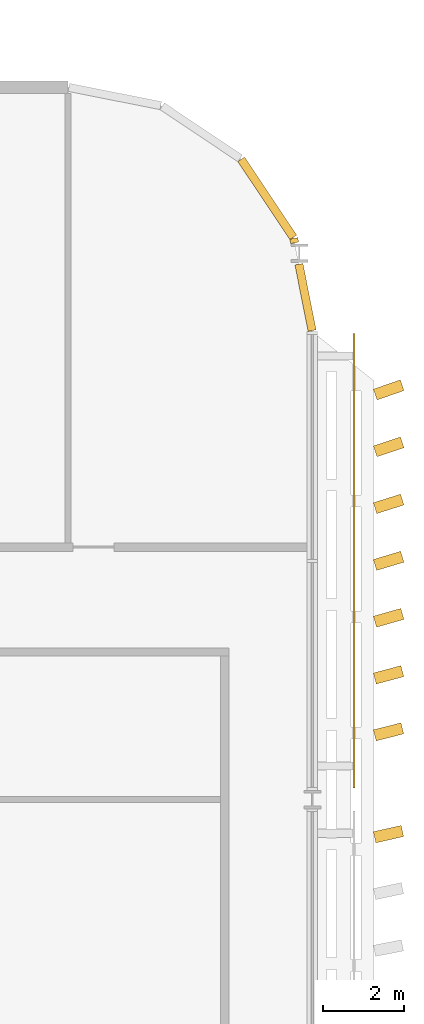
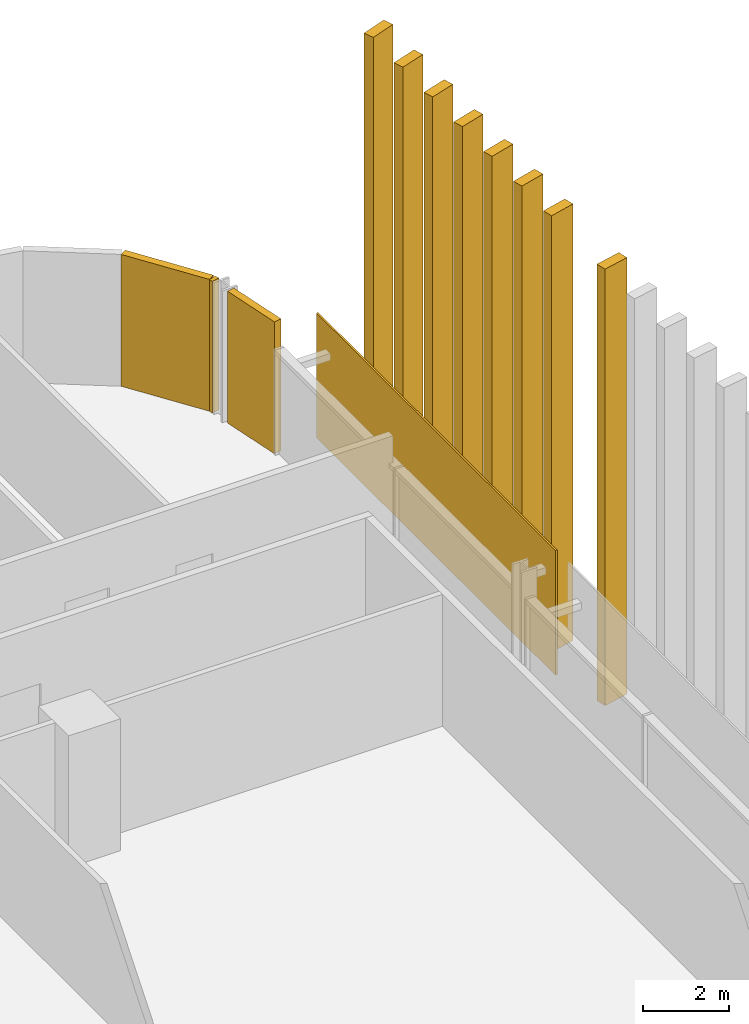
# One storey, part 31 of 31: 12 coverings.
"""IFC4 building model written with IfcOpenShell, lengths in metres."""

from ifc_helpers import new_model, si_unit, direction, frame, origin, origin_2d, place, context, subcontext, project, spatial, rectangle, extrude, material, layer, layer_set, type_object, element, save


model = new_model("IFC4")

# Units and contexts
model_context = context("Model", 3, precision=1e-05, world=origin(), true_north=direction((0.0, 1.0)))
body_context = subcontext(model_context, "Body", "Model", "MODEL_VIEW")
ifc_project = project(units=[si_unit("LENGTHUNIT", "METRE"), si_unit("AREAUNIT", "SQUARE_METRE"), si_unit("VOLUMEUNIT", "CUBIC_METRE"), si_unit("PLANEANGLEUNIT", "RADIAN"), si_unit("MASSUNIT", "GRAM", prefix="KILO")], contexts=[model_context])

# Site, building, storey
site_placement = place(None, origin())
site = spatial("IfcSite", under=ifc_project, at=site_placement, CompositionType="ELEMENT")
building_placement = place(site_placement, origin())
building = spatial("IfcBuilding", under=site, at=building_placement, Name="Mahtab Terrace Research Tower", CompositionType="ELEMENT")
storey_placement = place(building_placement, frame((0.0, 0.0, 84.800048828125)))
storey = spatial("IfcBuildingStorey", under=building, at=storey_placement, Name="L19", CompositionType="ELEMENT", Elevation=84.800048828125)

# Coverings
ifc_material_1 = material(Name="Black aluminium cladding panel", Category="aluminium")
ifc_layer_1 = layer(ifc_material_1, 0.199951171875)
ifc_layer_set_1 = layer_set([ifc_layer_1], Name="Black metal corner cladding 200")
covering_type_1 = type_object("IfcCoveringType", Name="Black metal corner cladding 200", PredefinedType="CLADDING", material=ifc_layer_set_1)
covering_1_placement = place(storey_placement, frame((52.89306640625, 26.26953125, 0.0), z_axis=(0.0, 0.0, 1.0), x_axis=(-0.555291490808, 0.831655794326, 0.0)))
element("IfcCovering", 1, at=covering_1_placement, inside=storey, type_object=covering_type_1, Name="Corner cladding L19 0", PredefinedType="CLADDING", context=body_context, shape_type="SweptSolid", body=[
    extrude(rectangle(XDim=2.30126953125, YDim=0.199951171875, at=origin_2d()), origin(), (0.0, 0.0, 1.0), 3.760009765625),
])
covering_2_placement = place(storey_placement, frame((53.833740234375, 23.83544921875, 0.0), z_axis=(0.0, 0.0, 1.0), x_axis=(-0.195212442692, 0.980760981187, 0.0)))
element("IfcCovering", 2, at=covering_2_placement, inside=storey, type_object=covering_type_1, Name="Corner cladding L19 39", PredefinedType="CLADDING", context=body_context, shape_type="SweptSolid", body=[
    extrude(rectangle(XDim=1.6640625, YDim=0.199951171875, at=origin_2d()), origin(), (0.0, 0.0, 1.0), 3.760009765625),
])
covering_3_placement = place(storey_placement, frame((53.5556640625, 25.231689453125, 0.0), z_axis=(0.0, 0.0, 1.0), x_axis=(-0.195212442692, 0.980760981187, 0.0)))
element("IfcCovering", 3, at=covering_3_placement, inside=storey, type_object=covering_type_1, Name="Corner cladding L19 40", PredefinedType="CLADDING", context=body_context, shape_type="SweptSolid", body=[
    extrude(rectangle(XDim=0.11083984375, YDim=0.199951171875, at=origin_2d()), origin(), (0.0, 0.0, 1.0), 3.760009765625),
])
ifc_material_2 = material(Name="Bronze anodised aluminium", Category="aluminium")
ifc_layer_2 = layer(ifc_material_2, 0.050048828125)
ifc_layer_set_2 = layer_set([ifc_layer_2], Name="Sky lounge girih screen panel")
covering_type_2 = type_object("IfcCoveringType", Name="Sky lounge girih screen panel", PredefinedType="CLADDING", material=ifc_layer_set_2)
covering_4_placement = place(storey_placement, frame((55.02490234375, 17.364013671875, 0.099853515625), z_axis=(0.0, 0.0, 1.0), x_axis=(0.0, 1.0, 0.0)))
element("IfcCovering", 4, at=covering_4_placement, inside=storey, type_object=covering_type_2, Name="Girih screen L19 E39", PredefinedType="CLADDING", context=body_context, shape_type="SweptSolid", body=[
    extrude(rectangle(XDim=11.172119140625, YDim=0.050048828125, at=origin_2d()), origin(), (0.0, 0.0, 1.0), 3.56005859375),
])
ifc_layer_3 = layer(ifc_material_2, 0.1201171875)
ifc_layer_set_3 = layer_set([ifc_layer_3], Name="Vertical fin 700")
covering_type_3 = type_object("IfcCoveringType", Name="Vertical fin 700", PredefinedType="CLADDING", material=ifc_layer_set_3)
for number, where, z_axis, x_axis, name in (
    (5, (55.872314453125, 10.64990234375, -0.14990234375), (0.0, 0.0, 1.0), (-0.220447090484, 0.975398933923, 0.0), "Fin L19 E8"),
    (6, (55.873779296875, 13.1640625, -0.14990234375), (0.0, 0.0, 1.0), (-0.245546249204, 0.969384876869, 0.0), "Fin L19 E1"),
    (7, (55.874267578125, 14.56396484375, -0.14990234375), (0.0, 0.0, 1.0), (-0.259453665368, 0.965755556819, 0.0), "Fin L19 E2"),
    (8, (55.875, 15.964111328125, -0.14990234375), (0.0, 0.0, 1.0), (-0.273307481469, 0.961926723079, 0.0), "Fin L19 E3"),
    (9, (55.87548828125, 17.364013671875, -0.14990234375), (0.0, 0.0, 1.0), (-0.287104835456, 0.957899166644, 0.0), "Fin L19 E4"),
    (10, (55.8759765625, 18.763916015625, -0.14990234375), (0.0, 0.0, 1.0), (-0.300842876992, 0.953673719552, 0.0), "Fin L19 E5"),
    (11, (55.876220703125, 20.1640625, -0.14990234375), (0.0, 0.0, 1.0), (-0.314518767942, 0.949251254733, 0.0), "Fin L19 E6"),
    (12, (55.87646484375, 21.56396484375, -0.14990234375), (0.0, 0.0, 1.0), (-0.328129683031, 0.944632685817, 0.0), "Fin L19 E7"),
):
    element("IfcCovering", number, at=place(storey_placement, frame(where, z_axis=z_axis, x_axis=x_axis)), inside=storey, type_object=covering_type_3, Name=name, PredefinedType="CLADDING", context=body_context, shape_type="SweptSolid", body=[
        extrude(rectangle(XDim=0.280029296875, YDim=0.699951171875, at=origin_2d()), origin(), (0.0, 0.0, 1.0), 12.449951171875),
    ])

save(model, "model.ifc")
